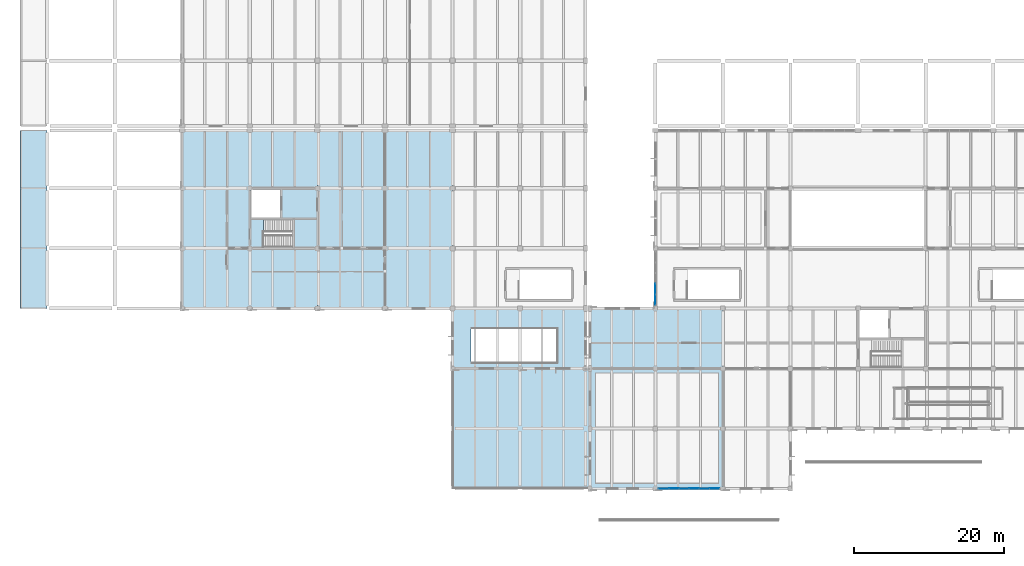
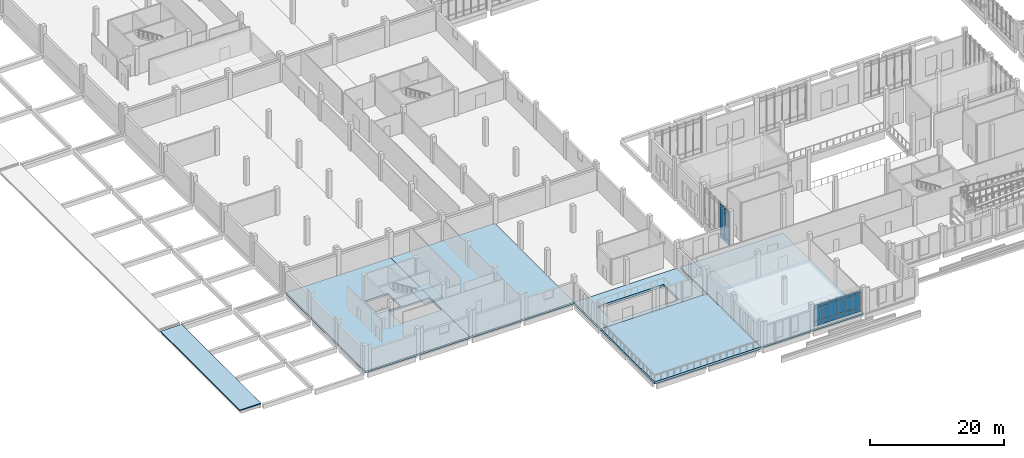
# One storey, part 55 of 110: 24 plates, 7 slabs, 3 elements without a shape of their own.
"""IFC4 building model written with IfcOpenShell, lengths in metres."""

from ifc_helpers import new_model, si_unit, direction, frame, origin, origin_2d, place, context, subcontext, project, spatial, polyline, rectangle, outline, extrude, material, layer, layer_set, type_object, element, aggregate, save


model = new_model("IFC4")

# Units and contexts
model_context = context("Model", 3, precision=1e-05, world=origin(), true_north=direction((0.0, 1.0)))
body_context = subcontext(model_context, "Body", "Model", "MODEL_VIEW")
ifc_project = project(units=[si_unit("LENGTHUNIT", "METRE"), si_unit("AREAUNIT", "SQUARE_METRE"), si_unit("VOLUMEUNIT", "CUBIC_METRE"), si_unit("PLANEANGLEUNIT", "RADIAN"), si_unit("MASSUNIT", "GRAM", prefix="KILO")], contexts=[model_context])

# Site, building, storey
site_placement = place(None, origin())
site = spatial("IfcSite", under=ifc_project, at=site_placement, CompositionType="ELEMENT")
building_placement = place(site_placement, origin())
building = spatial("IfcBuilding", under=site, at=building_placement, Name="Zacnel Wholesale Market", CompositionType="ELEMENT")
storey_placement = place(building_placement, frame((0.0, 0.0, 6.300048828125)))
storey = spatial("IfcBuildingStorey", under=building, at=storey_placement, Name="L02", CompositionType="ELEMENT", Elevation=6.300048828125)

# Curtain wall, plates
ifc_material_1 = material(Name="Anodised aluminium", Category="aluminium")
ifc_layer_1 = layer(ifc_material_1, 0.159912109375)
ifc_layer_set_1 = layer_set([ifc_layer_1], Name="Anodised aluminium")
curtain_wall_type_1 = type_object("IfcCurtainWallType", Name="CW-TERR-3900", PredefinedType="NOTDEFINED", material=ifc_layer_set_1)
curtain_wall_1_placement = place(storey_placement, origin())
curtain_wall_1 = element("IfcCurtainWall", 1, at=curtain_wall_1_placement, inside=storey, type_object=curtain_wall_type_1, Name="Curtain wall ENV-R2-CW-L02-009", PredefinedType="NOTDEFINED")
ifc_material_2 = material(Name="Laminated hurricane-impact low-E insulated glass", Category="glass")
ifc_layer_2 = layer(ifc_material_2, 0.02392578125)
ifc_layer_set_2 = layer_set([ifc_layer_2], Name="Laminated hurricane-impact low-E insulated glass")
plate_type_1 = type_object("IfcPlateType", Name="CWP-PNL-03", PredefinedType="CURTAIN_PANEL", material=ifc_layer_set_2)
plate_1_placement = place(storey_placement, frame((82.125, 0.0, 1.330078125), z_axis=(0.0, 0.0, 1.0), x_axis=(1.0, 0.0, 0.0)))
plate_1 = element("IfcPlate", 2, at=plate_1_placement, type_object=plate_type_1, Name="ENV-R2-CW-L02-009 panel 1-2", PredefinedType="CURTAIN_PANEL", context=body_context, shape_type="SweptSolid", body=[
    extrude(rectangle(XDim=1.280029296875, YDim=0.02392578125, at=origin_2d()), origin(), (0.0, 0.0, 1.0), 2.340087890625),
])
plate_2_placement = place(storey_placement, frame((83.47509765625, 0.0, 1.330078125), z_axis=(0.0, 0.0, 1.0), x_axis=(1.0, 0.0, 0.0)))
plate_2 = element("IfcPlate", 3, at=plate_2_placement, type_object=plate_type_1, Name="ENV-R2-CW-L02-009 panel 2-2", PredefinedType="CURTAIN_PANEL", context=body_context, shape_type="SweptSolid", body=[
    extrude(rectangle(XDim=1.280029296875, YDim=0.02392578125, at=origin_2d()), origin(), (0.0, 0.0, 1.0), 2.340087890625),
])
plate_3_placement = place(storey_placement, frame((84.824951171875, 0.0, 1.330078125), z_axis=(0.0, 0.0, 1.0), x_axis=(1.0, 0.0, 0.0)))
plate_3 = element("IfcPlate", 4, at=plate_3_placement, type_object=plate_type_1, Name="ENV-R2-CW-L02-009 panel 3-2", PredefinedType="CURTAIN_PANEL", context=body_context, shape_type="SweptSolid", body=[
    extrude(rectangle(XDim=1.280029296875, YDim=0.02392578125, at=origin_2d()), origin(), (0.0, 0.0, 1.0), 2.340087890625),
])
plate_4_placement = place(storey_placement, frame((86.175048828125, 0.0, 1.330078125), z_axis=(0.0, 0.0, 1.0), x_axis=(1.0, 0.0, 0.0)))
plate_4 = element("IfcPlate", 5, at=plate_4_placement, type_object=plate_type_1, Name="ENV-R2-CW-L02-009 panel 4-2", PredefinedType="CURTAIN_PANEL", context=body_context, shape_type="SweptSolid", body=[
    extrude(rectangle(XDim=1.280029296875, YDim=0.02392578125, at=origin_2d()), origin(), (0.0, 0.0, 1.0), 2.340087890625),
])
plate_5_placement = place(storey_placement, frame((87.52490234375, 0.0, 1.330078125), z_axis=(0.0, 0.0, 1.0), x_axis=(1.0, 0.0, 0.0)))
plate_5 = element("IfcPlate", 6, at=plate_5_placement, type_object=plate_type_1, Name="ENV-R2-CW-L02-009 panel 5-2", PredefinedType="CURTAIN_PANEL", context=body_context, shape_type="SweptSolid", body=[
    extrude(rectangle(XDim=1.280029296875, YDim=0.02392578125, at=origin_2d()), origin(), (0.0, 0.0, 1.0), 2.340087890625),
])
plate_6_placement = place(storey_placement, frame((88.875, 0.0, 1.330078125), z_axis=(0.0, 0.0, 1.0), x_axis=(1.0, 0.0, 0.0)))
plate_6 = element("IfcPlate", 7, at=plate_6_placement, type_object=plate_type_1, Name="ENV-R2-CW-L02-009 panel 6-2", PredefinedType="CURTAIN_PANEL", context=body_context, shape_type="SweptSolid", body=[
    extrude(rectangle(XDim=1.280029296875, YDim=0.02392578125, at=origin_2d()), origin(), (0.0, 0.0, 1.0), 2.340087890625),
])

ifc_material_3 = material(Name="Anodised aluminium", Category="aluminium")
ifc_layer_3 = layer(ifc_material_3, 0.179931640625)
ifc_layer_set_3 = layer_set([ifc_layer_3], Name="Anodised aluminium")
curtain_wall_type_2 = type_object("IfcCurtainWallType", Name="CW-AUCT-5800", PredefinedType="NOTDEFINED", material=ifc_layer_set_3)
curtain_wall_2_placement = place(storey_placement, origin())
curtain_wall_2 = element("IfcCurtainWall", 8, at=curtain_wall_2_placement, inside=storey, type_object=curtain_wall_type_2, Name="Curtain wall ENV-R2-CW-L02-013", PredefinedType="NOTDEFINED")
ifc_material_4 = material(Name="Laminated hurricane-impact low-E insulated glass", Category="glass")
ifc_layer_4 = layer(ifc_material_4, 0.035888671875)
ifc_layer_set_4 = layer_set([ifc_layer_4], Name="Laminated hurricane-impact low-E insulated glass")
plate_type_2 = type_object("IfcPlateType", Name="CWP-PNL-04", PredefinedType="CURTAIN_PANEL", material=ifc_layer_set_4)
plate_7_placement = place(storey_placement, frame((81.0, 25.159912109375, 1.329833984375), z_axis=(0.0, 0.0, 1.0), x_axis=(0.0, 1.0, 0.0)))
plate_7 = element("IfcPlate", 9, at=plate_7_placement, type_object=plate_type_2, Name="ENV-R2-CW-L02-013 panel 1-2", PredefinedType="CURTAIN_PANEL", context=body_context, shape_type="SweptSolid", body=[
    extrude(rectangle(XDim=1.35009765625, YDim=0.035888671875, at=origin_2d()), origin(), (0.0, 0.0, 1.0), 4.830078125),
])
plate_8_placement = place(storey_placement, frame((81.0, 26.580078125, 1.329833984375), z_axis=(0.0, 0.0, 1.0), x_axis=(0.0, 1.0, 0.0)))
plate_8 = element("IfcPlate", 10, at=plate_8_placement, type_object=plate_type_2, Name="ENV-R2-CW-L02-013 panel 2-2", PredefinedType="CURTAIN_PANEL", context=body_context, shape_type="SweptSolid", body=[
    extrude(rectangle(XDim=1.35009765625, YDim=0.035888671875, at=origin_2d()), origin(), (0.0, 0.0, 1.0), 4.830078125),
])

# Plate
ifc_material_5 = material(Name="Anodised aluminium", Category="aluminium")
ifc_layer_5 = layer(ifc_material_5, 0.0400390625)
ifc_layer_set_5 = layer_set([ifc_layer_5], Name="Anodised aluminium")
plate_type_3 = type_object("IfcPlateType", Name="CWP-PNL-05", PredefinedType="CURTAIN_PANEL", material=ifc_layer_set_5)
plate_9_placement = place(storey_placement, frame((82.125, 0.0, 0.47998046875), z_axis=(0.0, 0.0, 1.0), x_axis=(1.0, 0.0, 0.0)))
plate_9 = element("IfcPlate", 11, at=plate_9_placement, type_object=plate_type_3, Name="ENV-R2-CW-L02-009 panel 1-1", PredefinedType="CURTAIN_PANEL", context=body_context, shape_type="SweptSolid", body=[
    extrude(rectangle(XDim=1.280029296875, YDim=0.0400390625, at=origin_2d()), origin(), (0.0, 0.0, 1.0), 0.7900390625),
])

plate_10_placement = place(storey_placement, frame((82.125, 0.0, 3.72998046875), z_axis=(0.0, 0.0, 1.0), x_axis=(1.0, 0.0, 0.0)))
plate_10 = element("IfcPlate", 12, at=plate_10_placement, type_object=plate_type_3, Name="ENV-R2-CW-L02-009 panel 1-3", PredefinedType="CURTAIN_PANEL", context=body_context, shape_type="SweptSolid", body=[
    extrude(rectangle(XDim=1.280029296875, YDim=0.0400390625, at=origin_2d()), origin(), (0.0, 0.0, 1.0), 0.489990234375),
])

plate_11_placement = place(storey_placement, frame((84.824951171875, 0.0, 0.47998046875), z_axis=(0.0, 0.0, 1.0), x_axis=(1.0, 0.0, 0.0)))
plate_11 = element("IfcPlate", 13, at=plate_11_placement, type_object=plate_type_3, Name="ENV-R2-CW-L02-009 panel 3-1", PredefinedType="CURTAIN_PANEL", context=body_context, shape_type="SweptSolid", body=[
    extrude(rectangle(XDim=1.280029296875, YDim=0.0400390625, at=origin_2d()), origin(), (0.0, 0.0, 1.0), 0.7900390625),
])

plate_12_placement = place(storey_placement, frame((84.824951171875, 0.0, 3.72998046875), z_axis=(0.0, 0.0, 1.0), x_axis=(1.0, 0.0, 0.0)))
plate_12 = element("IfcPlate", 14, at=plate_12_placement, type_object=plate_type_3, Name="ENV-R2-CW-L02-009 panel 3-3", PredefinedType="CURTAIN_PANEL", context=body_context, shape_type="SweptSolid", body=[
    extrude(rectangle(XDim=1.280029296875, YDim=0.0400390625, at=origin_2d()), origin(), (0.0, 0.0, 1.0), 0.489990234375),
])

plate_13_placement = place(storey_placement, frame((87.52490234375, 0.0, 0.47998046875), z_axis=(0.0, 0.0, 1.0), x_axis=(1.0, 0.0, 0.0)))
plate_13 = element("IfcPlate", 15, at=plate_13_placement, type_object=plate_type_3, Name="ENV-R2-CW-L02-009 panel 5-1", PredefinedType="CURTAIN_PANEL", context=body_context, shape_type="SweptSolid", body=[
    extrude(rectangle(XDim=1.280029296875, YDim=0.0400390625, at=origin_2d()), origin(), (0.0, 0.0, 1.0), 0.7900390625),
])

plate_14_placement = place(storey_placement, frame((87.52490234375, 0.0, 3.72998046875), z_axis=(0.0, 0.0, 1.0), x_axis=(1.0, 0.0, 0.0)))
plate_14 = element("IfcPlate", 16, at=plate_14_placement, type_object=plate_type_3, Name="ENV-R2-CW-L02-009 panel 5-3", PredefinedType="CURTAIN_PANEL", context=body_context, shape_type="SweptSolid", body=[
    extrude(rectangle(XDim=1.280029296875, YDim=0.0400390625, at=origin_2d()), origin(), (0.0, 0.0, 1.0), 0.489990234375),
])

plate_15_placement = place(storey_placement, frame((81.0, 25.159912109375, 0.47998046875), z_axis=(0.0, 0.0, 1.0), x_axis=(0.0, 1.0, 0.0)))
plate_15 = element("IfcPlate", 17, at=plate_15_placement, type_object=plate_type_3, Name="ENV-R2-CW-L02-013 panel 1-1", PredefinedType="CURTAIN_PANEL", context=body_context, shape_type="SweptSolid", body=[
    extrude(rectangle(XDim=1.35009765625, YDim=0.0400390625, at=origin_2d()), origin(), (0.0, 0.0, 1.0), 0.7900390625),
])

plate_16_placement = place(storey_placement, frame((81.0, 25.159912109375, 6.2197265625), z_axis=(0.0, 0.0, 1.0), x_axis=(0.0, 1.0, 0.0)))
plate_16 = element("IfcPlate", 18, at=plate_16_placement, type_object=plate_type_3, Name="ENV-R2-CW-L02-013 panel 1-3", PredefinedType="CURTAIN_PANEL", context=body_context, shape_type="SweptSolid", body=[
    extrude(rectangle(XDim=1.35009765625, YDim=0.0400390625, at=origin_2d()), origin(), (0.0, 0.0, 1.0), 0.489990234375),
])

ifc_material_6 = material(Name="Honed Yucatan Maya cream limestone", Category="masonry")
ifc_layer_6 = layer(ifc_material_6, 0.044921875)
ifc_layer_set_6 = layer_set([ifc_layer_6], Name="Honed Yucatan Maya cream limestone")
plate_type_4 = type_object("IfcPlateType", Name="CWP-PNL-06", PredefinedType="CURTAIN_PANEL", material=ifc_layer_set_6)
plate_17_placement = place(storey_placement, frame((83.47509765625, 0.0, 0.47998046875), z_axis=(0.0, 0.0, 1.0), x_axis=(1.0, 0.0, 0.0)))
plate_17 = element("IfcPlate", 19, at=plate_17_placement, type_object=plate_type_4, Name="ENV-R2-CW-L02-009 panel 2-1", PredefinedType="CURTAIN_PANEL", context=body_context, shape_type="SweptSolid", body=[
    extrude(rectangle(XDim=1.280029296875, YDim=0.044921875, at=origin_2d()), origin(), (0.0, 0.0, 1.0), 0.7900390625),
])

plate_18_placement = place(storey_placement, frame((83.47509765625, 0.0, 3.72998046875), z_axis=(0.0, 0.0, 1.0), x_axis=(1.0, 0.0, 0.0)))
plate_18 = element("IfcPlate", 20, at=plate_18_placement, type_object=plate_type_4, Name="ENV-R2-CW-L02-009 panel 2-3", PredefinedType="CURTAIN_PANEL", context=body_context, shape_type="SweptSolid", body=[
    extrude(rectangle(XDim=1.280029296875, YDim=0.044921875, at=origin_2d()), origin(), (0.0, 0.0, 1.0), 0.489990234375),
])

plate_19_placement = place(storey_placement, frame((86.175048828125, 0.0, 0.47998046875), z_axis=(0.0, 0.0, 1.0), x_axis=(1.0, 0.0, 0.0)))
plate_19 = element("IfcPlate", 21, at=plate_19_placement, type_object=plate_type_4, Name="ENV-R2-CW-L02-009 panel 4-1", PredefinedType="CURTAIN_PANEL", context=body_context, shape_type="SweptSolid", body=[
    extrude(rectangle(XDim=1.280029296875, YDim=0.044921875, at=origin_2d()), origin(), (0.0, 0.0, 1.0), 0.7900390625),
])

plate_20_placement = place(storey_placement, frame((86.175048828125, 0.0, 3.72998046875), z_axis=(0.0, 0.0, 1.0), x_axis=(1.0, 0.0, 0.0)))
plate_20 = element("IfcPlate", 22, at=plate_20_placement, type_object=plate_type_4, Name="ENV-R2-CW-L02-009 panel 4-3", PredefinedType="CURTAIN_PANEL", context=body_context, shape_type="SweptSolid", body=[
    extrude(rectangle(XDim=1.280029296875, YDim=0.044921875, at=origin_2d()), origin(), (0.0, 0.0, 1.0), 0.489990234375),
])

plate_21_placement = place(storey_placement, frame((88.875, 0.0, 0.47998046875), z_axis=(0.0, 0.0, 1.0), x_axis=(1.0, 0.0, 0.0)))
plate_21 = element("IfcPlate", 23, at=plate_21_placement, type_object=plate_type_4, Name="ENV-R2-CW-L02-009 panel 6-1", PredefinedType="CURTAIN_PANEL", context=body_context, shape_type="SweptSolid", body=[
    extrude(rectangle(XDim=1.280029296875, YDim=0.044921875, at=origin_2d()), origin(), (0.0, 0.0, 1.0), 0.7900390625),
])

plate_22_placement = place(storey_placement, frame((88.875, 0.0, 3.72998046875), z_axis=(0.0, 0.0, 1.0), x_axis=(1.0, 0.0, 0.0)))
plate_22 = element("IfcPlate", 24, at=plate_22_placement, type_object=plate_type_4, Name="ENV-R2-CW-L02-009 panel 6-3", PredefinedType="CURTAIN_PANEL", context=body_context, shape_type="SweptSolid", body=[
    extrude(rectangle(XDim=1.280029296875, YDim=0.044921875, at=origin_2d()), origin(), (0.0, 0.0, 1.0), 0.489990234375),
])

aggregate(curtain_wall_1, [plate_9, plate_1, plate_10, plate_17, plate_2, plate_18, plate_11, plate_3, plate_12, plate_19, plate_4, plate_20, plate_13, plate_5, plate_14, plate_21, plate_6, plate_22])

plate_23_placement = place(storey_placement, frame((81.0, 26.580078125, 0.47998046875), z_axis=(0.0, 0.0, 1.0), x_axis=(0.0, 1.0, 0.0)))
plate_23 = element("IfcPlate", 25, at=plate_23_placement, type_object=plate_type_4, Name="ENV-R2-CW-L02-013 panel 2-1", PredefinedType="CURTAIN_PANEL", context=body_context, shape_type="SweptSolid", body=[
    extrude(rectangle(XDim=1.35009765625, YDim=0.044921875, at=origin_2d()), origin(), (0.0, 0.0, 1.0), 0.7900390625),
])

plate_24_placement = place(storey_placement, frame((81.0, 26.580078125, 6.2197265625), z_axis=(0.0, 0.0, 1.0), x_axis=(0.0, 1.0, 0.0)))
plate_24 = element("IfcPlate", 26, at=plate_24_placement, type_object=plate_type_4, Name="ENV-R2-CW-L02-013 panel 2-3", PredefinedType="CURTAIN_PANEL", context=body_context, shape_type="SweptSolid", body=[
    extrude(rectangle(XDim=1.35009765625, YDim=0.044921875, at=origin_2d()), origin(), (0.0, 0.0, 1.0), 0.489990234375),
])

aggregate(curtain_wall_2, [plate_15, plate_7, plate_16, plate_23, plate_8, plate_24])

# Slabs
ifc_material_7 = material(Name="Precast concrete C45/55", Category="concrete")
ifc_layer_7 = layer(ifc_material_7, 0.300048828125)
ifc_layer_set_7 = layer_set([ifc_layer_7], Name="Precast concrete C45/55")
slab_type_1 = type_object("IfcSlabType", Name="SLB-FLR-300", PredefinedType="FLOOR", material=ifc_layer_set_7)
slab_1_placement = place(storey_placement, frame((0.0, 0.0, -0.300048828125)))
element("IfcSlab", 27, at=slab_1_placement, inside=storey, type_object=slab_type_1, Name="Structural slab SLB-L02-V4-INT-P1", PredefinedType="FLOOR", context=body_context, shape_type="SweptSolid", body=[
    extrude(outline(polyline([(72.300048828125, 24.0), (90.0, 24.0), (90.0, 0.0), (72.300048828125, 0.0), (72.300048828125, 24.0)])), origin(), (0.0, 0.0, 1.0), 0.300048828125),
])
ifc_material_8 = material(Name="Precast concrete C45/55", Category="concrete")
ifc_layer_8 = layer(ifc_material_8, 0.320068359375)
ifc_layer_set_8 = layer_set([ifc_layer_8], Name="Precast concrete C45/55")
slab_type_2 = type_object("IfcSlabType", Name="SLB-FLR-320", PredefinedType="FLOOR", material=ifc_layer_set_8)
slab_2_placement = place(storey_placement, frame((0.0, 0.0, -0.320068359375)))
element("IfcSlab", 28, at=slab_2_placement, inside=storey, type_object=slab_type_2, Name="Structural slab SLB-L02-V3-S-P1", PredefinedType="FLOOR", context=body_context, shape_type="SweptSolid", body=[
    extrude(outline(polyline([(36.0, 47.699951171875), (36.0, 24.0), (18.0, 24.0), (18.0, 47.699951171875), (36.0, 47.699951171875)]), holes=[polyline([(28.85009765625, 32.1298828125), (35.860107421875, 32.1298828125), (35.860107421875, 35.820068359375), (28.85009765625, 35.820068359375), (28.85009765625, 32.1298828125)]), polyline([(27.1298828125, 36.080078125), (31.070068359375, 36.080078125), (31.070068359375, 39.8701171875), (27.1298828125, 39.8701171875), (27.1298828125, 36.080078125)])]), origin(), (0.0, 0.0, 1.0), 0.320068359375),
])
slab_3_placement = place(storey_placement, frame((0.0, 0.0, -0.320068359375)))
element("IfcSlab", 29, at=slab_3_placement, inside=storey, type_object=slab_type_2, Name="Structural slab SLB-L02-V3-S-P2", PredefinedType="FLOOR", context=body_context, shape_type="SweptSolid", body=[
    extrude(outline(polyline([(54.0, 47.699951171875), (54.0, 24.0), (36.0, 24.0), (36.0, 47.699951171875), (54.0, 47.699951171875)])), origin(), (0.0, 0.0, 1.0), 0.320068359375),
])
ifc_material_9 = material(Name="Precast concrete C45/55", Category="concrete")
ifc_layer_9 = layer(ifc_material_9, 0.419921875)
ifc_layer_set_9 = layer_set([ifc_layer_9], Name="Precast concrete C45/55")
slab_type_3 = type_object("IfcSlabType", Name="SLB-FLR-420", PredefinedType="FLOOR", material=ifc_layer_set_9)
slab_4_placement = place(storey_placement, frame((0.0, 0.0, -0.420166015625)))
element("IfcSlab", 30, at=slab_4_placement, inside=storey, type_object=slab_type_3, Name="Structural slab SLB-L02-V4-TER-W", PredefinedType="FLOOR", context=body_context, shape_type="SweptSolid", body=[
    extrude(outline(polyline([(72.280029296875, 0.0), (72.280029296875, 16.0), (54.0, 16.0), (54.0, 0.0), (72.280029296875, 0.0)])), origin(), (0.0, 0.0, 1.0), 0.420166015625),
])
slab_5_placement = place(storey_placement, frame((0.0, 0.0, -0.420166015625)))
element("IfcSlab", 31, at=slab_5_placement, inside=storey, type_object=slab_type_3, Name="Structural slab SLB-L02-V4-WEST-INT", PredefinedType="FLOOR", context=body_context, shape_type="SweptSolid", body=[
    extrude(outline(polyline([(71.699951171875, 16.0), (71.699951171875, 24.0), (54.0, 24.0), (54.0, 16.0), (71.699951171875, 16.0)]), holes=[polyline([(56.449951171875, 16.800048828125), (67.89990234375, 16.800048828125), (67.89990234375, 21.300048828125), (56.449951171875, 21.300048828125), (56.449951171875, 16.800048828125)])]), origin(), (0.0, 0.0, 1.0), 0.420166015625),
])

# Stair, slab
ifc_material_10 = material(Name="Precast concrete C45/55", Category="concrete")
stair_type = type_object("IfcStairType", Name="STR-DOGLEG-1550", PredefinedType="HALF_TURN_STAIR", material=ifc_material_10)
stair_placement = place(storey_placement, origin())
stair = element("IfcStair", 32, at=stair_placement, inside=storey, type_object=stair_type, Name="Stair ST-08 (L02)", PredefinedType="HALF_TURN_STAIR")
ifc_material_11 = material(Name="Precast concrete C45/55", Category="concrete")
ifc_layer_10 = layer(ifc_material_11, 0.199951171875)
ifc_layer_set_10 = layer_set([ifc_layer_10], Name="Precast concrete C45/55")
slab_type_4 = type_object("IfcSlabType", Name="SLB-LAND-200", PredefinedType="LANDING", material=ifc_layer_set_10)
slab_6_placement = place(storey_placement, frame((0.0, 0.0, 2.25)))
slab_6 = element("IfcSlab", 33, at=slab_6_placement, type_object=slab_type_4, Name="ST-08 landing 1", PredefinedType="LANDING", context=body_context, shape_type="SweptSolid", body=[
    extrude(outline(polyline([(32.7099609375, 31.989990234375), (36.010009765625, 31.989990234375), (36.010009765625, 35.9599609375), (32.7099609375, 35.9599609375), (32.7099609375, 31.989990234375)])), origin(), (0.0, 0.0, 1.0), 0.199951171875),
])
aggregate(stair, [slab_6])

# Slab
ifc_material_12 = material(Name="Precast concrete C45/55", Category="concrete")
ifc_layer_11 = layer(ifc_material_12, 0.179931640625)
ifc_layer_set_11 = layer_set([ifc_layer_11], Name="Precast concrete C45/55")
slab_type_5 = type_object("IfcSlabType", Name="SLB-ROOF-CAN-180", PredefinedType="ROOF", material=ifc_layer_set_11)
slab_7_placement = place(storey_placement, frame((0.0, 0.0, 0.320068359375)))
element("IfcSlab", 34, at=slab_7_placement, inside=storey, type_object=slab_type_5, Name="Storm canopy slab CAN-DOCK-S", PredefinedType="ROOF", context=body_context, shape_type="SweptSolid", body=[
    extrude(outline(polyline([(-3.60009765625, 24.0), (0.0, 24.0), (0.0, 47.699951171875), (-3.60009765625, 47.699951171875), (-3.60009765625, 24.0)])), origin(), (0.0, 0.0, 1.0), 0.179931640625),
])

save(model, "model.ifc")
